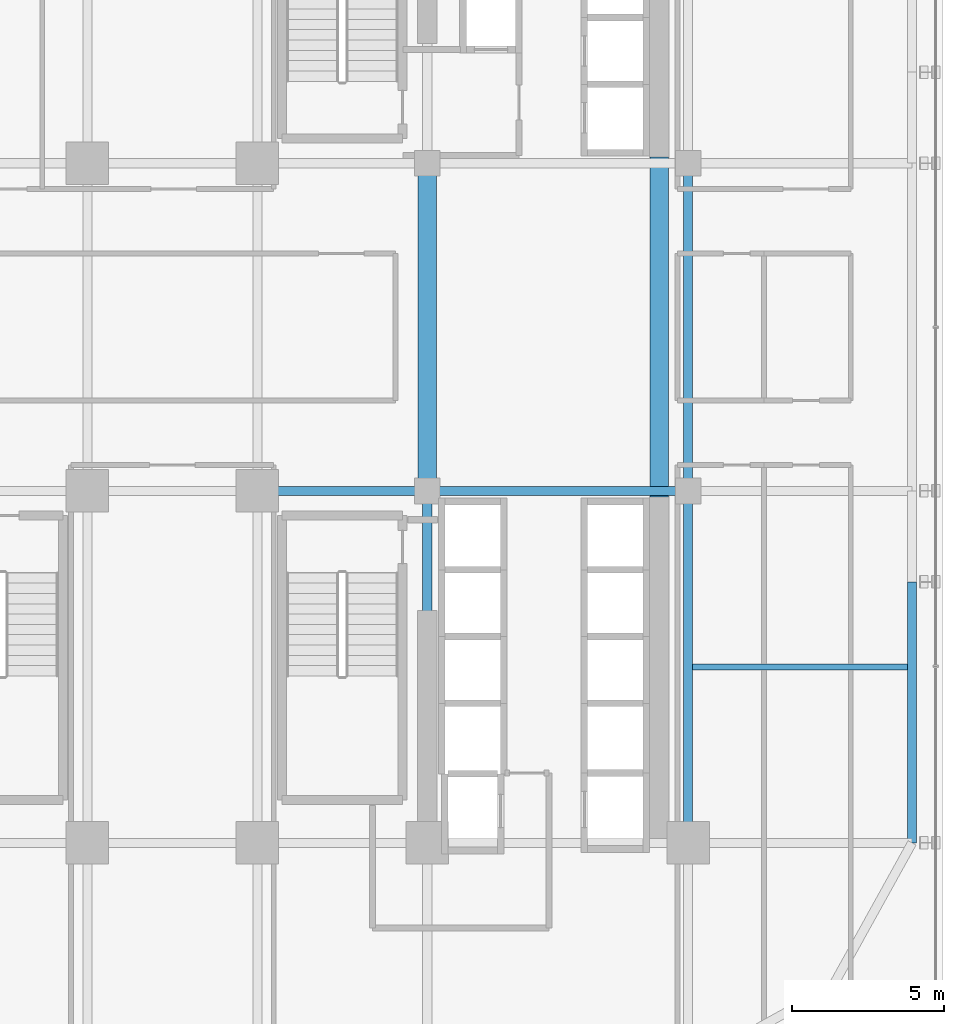
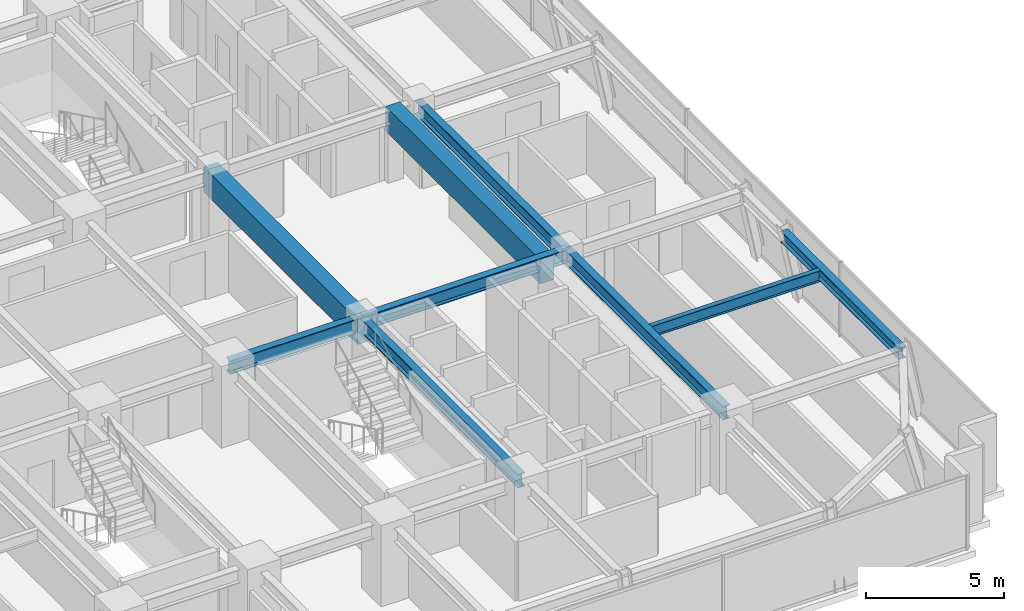
# One storey, part 14 of 35: 9 beams.
"""IFC4 building model written with IfcOpenShell, lengths in metres."""

from ifc_helpers import new_model, si_unit, direction, frame, origin, origin_2d, place, context, subcontext, project, spatial, rectangle, i_section, extrude, source, transform, mapped, material, material_profile, profile_set, type_object, element, save


model = new_model("IFC4")

# Units and contexts
model_context = context("Model", 3, precision=1e-05, world=origin(), true_north=direction((0.0, 1.0)))
body_context = subcontext(model_context, "Body", "Model", "MODEL_VIEW")
ifc_project = project(units=[si_unit("LENGTHUNIT", "METRE"), si_unit("AREAUNIT", "SQUARE_METRE"), si_unit("VOLUMEUNIT", "CUBIC_METRE"), si_unit("PLANEANGLEUNIT", "RADIAN"), si_unit("MASSUNIT", "GRAM", prefix="KILO")], contexts=[model_context])

# Site, building, storey
site_placement = place(None, origin())
site = spatial("IfcSite", under=ifc_project, at=site_placement, CompositionType="ELEMENT")
building_placement = place(site_placement, origin())
building = spatial("IfcBuilding", under=site, at=building_placement, Name="Nahalor Promenade Grand Hotel", CompositionType="ELEMENT")
storey_placement = place(building_placement, frame((0.0, 0.0, 79.85009765625)))
storey = spatial("IfcBuildingStorey", under=building, at=storey_placement, Name="L19", CompositionType="ELEMENT", Elevation=79.85009765625)

# Beams
ifc_material_1 = material(Name="Concrete B-60 (C50/60)", Category="concrete")
ifc_material_profile_1 = material_profile(ifc_material_1, rectangle(XDim=0.6, YDim=1.1, at=origin_2d()), Name="RC 600x1100")
ifc_profile_set_1 = profile_set([ifc_material_profile_1], Name="Concrete B-60 (C50/60)")
beam_type_1 = type_object("IfcBeamType", Name="Beam-Lintel-RC1100", PredefinedType="LINTEL", material=ifc_profile_set_1)
shared_shape_1 = source(origin(), body_context, "Body", "SweptSolid", [
    extrude(rectangle(XDim=0.6, YDim=1.1, at=origin_2d()), origin(), (0.0, 0.0, 1.0), 11.2001953125),
])
for number, where, z_axis, x_axis, name in (
    (1, (8.39990234375, -5.60009765625, 2.739990234375), (0.0, 1.0, 0.0), (-1.0, 0.0, 0.0), "BM-L19-LINT-W"),
    (2, (16.050048828125, -5.60009765625, 2.739990234375), (0.0, 1.0, 0.0), (-1.0, 0.0, 0.0), "BM-L19-LINT-E"),
):
    element("IfcBeam", number, at=place(storey_placement, frame(where, z_axis=z_axis, x_axis=x_axis)), inside=storey, type_object=beam_type_1, Name=name, PredefinedType="LINTEL", context=body_context, shape_type="MappedRepresentation", body=[
        mapped(shared_shape_1, transform((0.0, 0.0, 0.0), scale=1.0)),
    ])
ifc_material_2 = material(Name="Steel S355JR", Category="steel")
ifc_material_profile_2 = material_profile(ifc_material_2, i_section(OverallWidth=0.3, OverallDepth=0.6, WebThickness=0.0155, FlangeThickness=0.03, at=origin_2d()), Name="HEB 600")
ifc_profile_set_2 = profile_set([ifc_material_profile_2], Name="Steel S355JR")
beam_type_2 = type_object("IfcBeamType", Name="Beam-Girder-HEB600", PredefinedType="BEAM", material=ifc_profile_set_2)
shared_shape_2 = source(origin(), body_context, "Body", "SweptSolid", [
    extrude(i_section(OverallWidth=0.3, OverallDepth=0.6, WebThickness=0.0155, FlangeThickness=0.03, at=origin_2d()), origin(), (0.0, 0.0, 1.0), 8.60009765625),
])
beam_1_placement = place(storey_placement, frame((8.39990234375, -5.39990234375, 2.989990234375), z_axis=(1.0, 0.0, 0.0), x_axis=(0.0, 1.0, 0.0)))
element("IfcBeam", 3, at=beam_1_placement, inside=storey, type_object=beam_type_2, Name="BM-L19-GX-1-5", PredefinedType="BEAM", context=body_context, shape_type="MappedRepresentation", body=[
    mapped(shared_shape_2, transform((0.0, 0.0, 0.0), scale=1.0)),
])
shared_shape_3 = source(origin(), body_context, "Body", "SweptSolid", [
    extrude(i_section(OverallWidth=0.3, OverallDepth=0.6, WebThickness=0.0155, FlangeThickness=0.03, at=origin_2d()), origin(), (0.0, 0.0, 1.0), 5.599853515625),
])
beam_2_placement = place(storey_placement, frame((2.800048828125, -5.39990234375, 2.989990234375), z_axis=(1.0, 0.0, 0.0), x_axis=(0.0, 1.0, 0.0)))
element("IfcBeam", 4, at=beam_2_placement, inside=storey, type_object=beam_type_2, Name="BM-L19-GX-1-4", PredefinedType="BEAM", context=body_context, shape_type="MappedRepresentation", body=[
    mapped(shared_shape_3, transform((0.0, 0.0, 0.0), scale=1.0)),
])
shared_shape_4 = source(origin(), body_context, "Body", "SweptSolid", [
    extrude(i_section(OverallWidth=0.3, OverallDepth=0.6, WebThickness=0.0155, FlangeThickness=0.03, at=origin_2d()), origin(), (0.0, 0.0, 1.0), 11.60009765625),
])
for number, where, z_axis, x_axis, name in (
    (5, (8.39990234375, -17.0, 2.989990234375), (0.0, 1.0, 0.0), (-1.0, 0.0, 0.0), "BM-L19-GY-4-1"),
    (6, (17.0, -17.0, 2.989990234375), (0.0, 1.0, 0.0), (-1.0, 0.0, 0.0), "BM-L19-GY-5-1"),
):
    element("IfcBeam", number, at=place(storey_placement, frame(where, z_axis=z_axis, x_axis=x_axis)), inside=storey, type_object=beam_type_2, Name=name, PredefinedType="BEAM", context=body_context, shape_type="MappedRepresentation", body=[
        mapped(shared_shape_4, transform((0.0, 0.0, 0.0), scale=1.0)),
    ])
shared_shape_5 = source(origin(), body_context, "Body", "SweptSolid", [
    extrude(i_section(OverallWidth=0.3, OverallDepth=0.6, WebThickness=0.0155, FlangeThickness=0.03, at=origin_2d()), origin(), (0.0, 0.0, 1.0), 10.7998046875),
])
beam_3_placement = place(storey_placement, frame((17.0, -5.39990234375, 2.989990234375), z_axis=(0.0, 1.0, 0.0), x_axis=(-1.0, 0.0, 0.0)))
element("IfcBeam", 7, at=beam_3_placement, inside=storey, type_object=beam_type_2, Name="BM-L19-GY-5-2", PredefinedType="BEAM", context=body_context, shape_type="MappedRepresentation", body=[
    mapped(shared_shape_5, transform((0.0, 0.0, 0.0), scale=1.0)),
])
ifc_material_profile_3 = material_profile(ifc_material_2, i_section(OverallWidth=0.3, OverallDepth=0.5, WebThickness=0.0145, FlangeThickness=0.028, at=origin_2d()), Name="HEB 500")
ifc_profile_set_3 = profile_set([ifc_material_profile_3], Name="Steel S355JR")
beam_type_3 = type_object("IfcBeamType", Name="Beam-Spandrel-HEB500", PredefinedType="SPANDREL", material=ifc_profile_set_3)
shared_shape_6 = source(origin(), body_context, "Body", "SweptSolid", [
    extrude(i_section(OverallWidth=0.3, OverallDepth=0.5, WebThickness=0.0145, FlangeThickness=0.028, at=origin_2d()), origin(), (0.0, 0.0, 1.0), 8.60009765625),
])
beam_4_placement = place(storey_placement, frame((24.3798828125, -17.0, 3.039794921875), z_axis=(0.0, 1.0, 0.0), x_axis=(-1.0, 0.0, 0.0)))
element("IfcBeam", 8, at=beam_4_placement, inside=storey, type_object=beam_type_3, Name="BM-L19-SP-E-0", PredefinedType="SPANDREL", context=body_context, shape_type="MappedRepresentation", body=[
    mapped(shared_shape_6, transform((0.0, 0.0, 0.0), scale=1.0)),
])
ifc_material_profile_4 = material_profile(ifc_material_2, i_section(OverallWidth=0.2, OverallDepth=0.5, WebThickness=0.0102, FlangeThickness=0.016, at=origin_2d()), Name="IPE 500")
ifc_profile_set_4 = profile_set([ifc_material_profile_4], Name="Steel S355JR")
beam_type_4 = type_object("IfcBeamType", Name="Beam-Joist-IPE500", PredefinedType="JOIST", material=ifc_profile_set_4)
shared_shape_7 = source(origin(), body_context, "Body", "SweptSolid", [
    extrude(i_section(OverallWidth=0.2, OverallDepth=0.5, WebThickness=0.0102, FlangeThickness=0.016, at=origin_2d()), origin(), (0.0, 0.0, 1.0), 7.080078125),
])
beam_5_placement = place(storey_placement, frame((17.14990234375, -11.199951171875, 3.039794921875), z_axis=(1.0, 0.0, 0.0), x_axis=(0.0, 1.0, 0.0)))
element("IfcBeam", 9, at=beam_5_placement, inside=storey, type_object=beam_type_4, Name="BM-L19-JSE-0-2", PredefinedType="JOIST", context=body_context, shape_type="MappedRepresentation", body=[
    mapped(shared_shape_7, transform((0.0, 0.0, 0.0), scale=1.0)),
])

save(model, "model.ifc")
